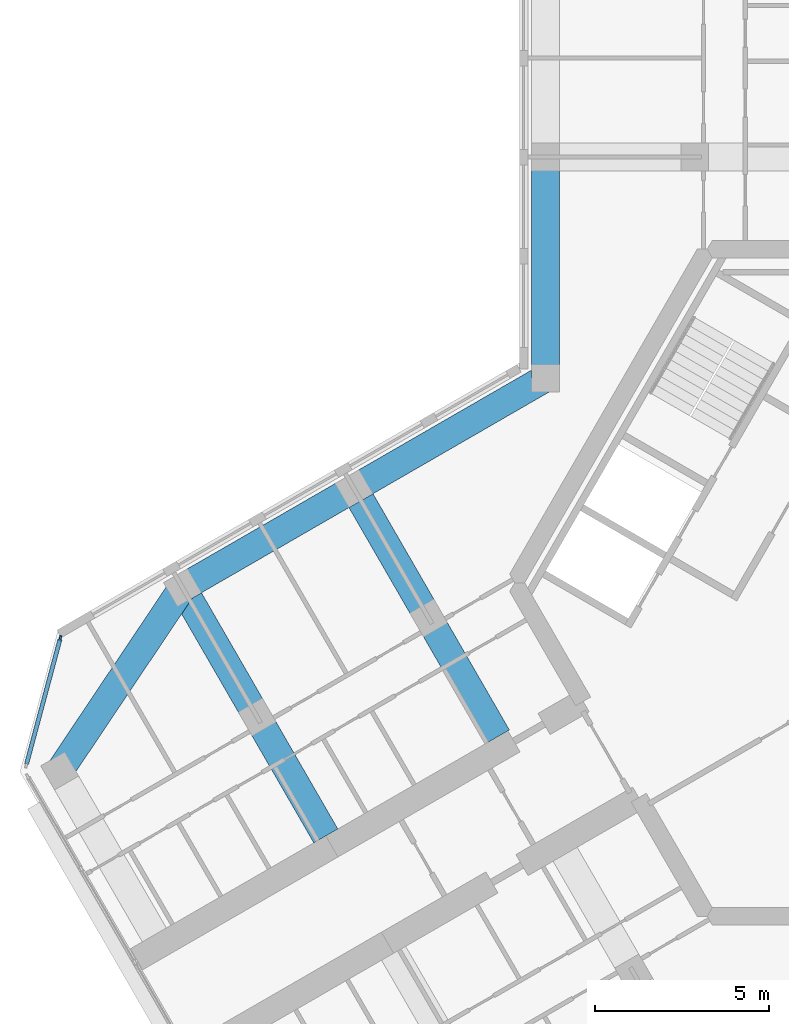
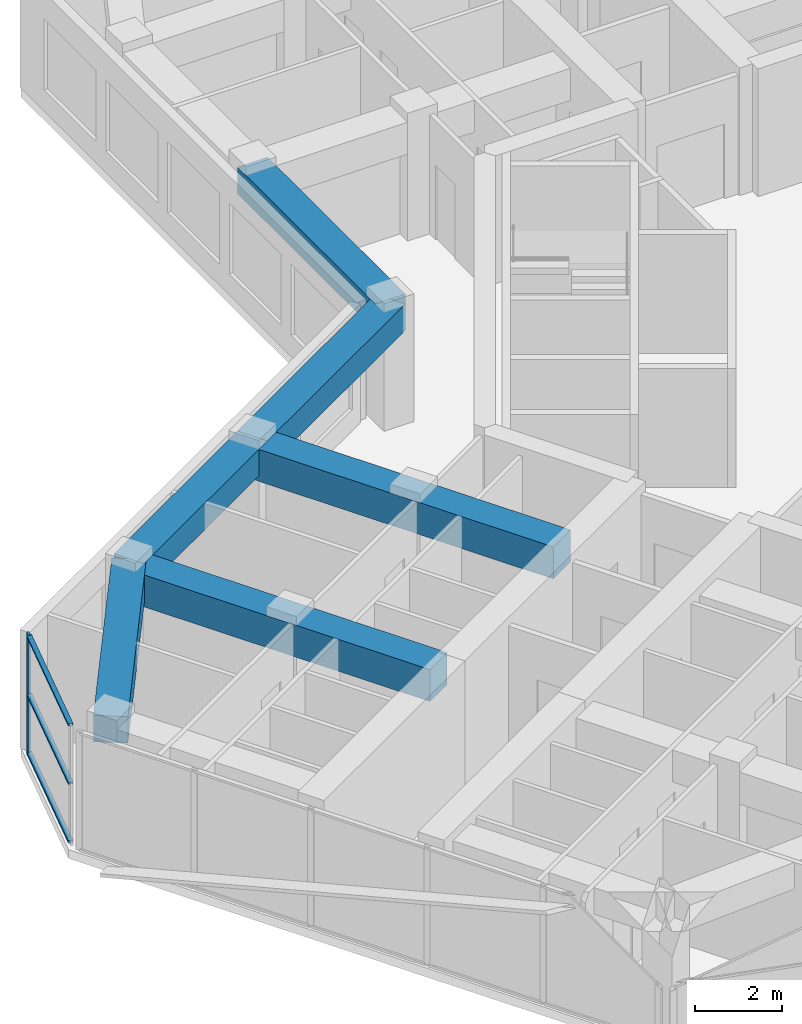
# One storey, part 3 of 14: 6 beams, 4 members, 1 element without a shape of its own.
"""IFC4 building model written with IfcOpenShell, lengths in metres."""

from ifc_helpers import new_model, si_unit, direction, frame, origin, origin_2d, place, context, subcontext, project, spatial, rectangle, extrude, material, material_profile, profile_set, type_object, element, aggregate, save


model = new_model("IFC4")

# Units and contexts
model_context = context("Model", 3, precision=1e-05, world=origin(), true_north=direction((0.0, 1.0)))
body_context = subcontext(model_context, "Body", "Model", "MODEL_VIEW")
ifc_project = project(units=[si_unit("LENGTHUNIT", "METRE"), si_unit("AREAUNIT", "SQUARE_METRE"), si_unit("VOLUMEUNIT", "CUBIC_METRE"), si_unit("PLANEANGLEUNIT", "RADIAN"), si_unit("MASSUNIT", "GRAM", prefix="KILO")], contexts=[model_context])

# Site, building, storey
site_placement = place(None, origin())
site = spatial("IfcSite", under=ifc_project, at=site_placement, CompositionType="ELEMENT")
building_placement = place(site_placement, origin())
building = spatial("IfcBuilding", under=site, at=building_placement, Name="Kosmar Iwan School Tower", CompositionType="ELEMENT")
storey_placement = place(building_placement, frame((0.0, 0.0, 292.60009765625)))
storey = spatial("IfcBuildingStorey", under=building, at=storey_placement, Name="L74", CompositionType="ELEMENT", Elevation=292.60009765625)

# Curtain wall, member
ifc_material_1 = material(Name="Dark glass in black aluminium frame", Category="aluminium")
curtain_wall_type = type_object("IfcCurtainWallType", Name="Chamfer curtain wall dark glass", PredefinedType="USERDEFINED", material=ifc_material_1)
curtain_wall_placement = place(storey_placement, origin())
curtain_wall = element("IfcCurtainWall", 1, at=curtain_wall_placement, inside=storey, type_object=curtain_wall_type, Name="Curtain wall L74-F12", ObjectType="FACETED CURTAIN WALL", PredefinedType="USERDEFINED")
ifc_material_2 = material(Name="Black anodised aluminium", Category="aluminium")
ifc_material_profile_1 = material_profile(ifc_material_2, rectangle(XDim=0.06005859375, YDim=0.159912109375, at=origin_2d()), Name="MULLION 60x160")
ifc_profile_set_1 = profile_set([ifc_material_profile_1], Name="Black anodised aluminium")
member_type_1 = type_object("IfcMemberType", Name="Mullion 60x160", PredefinedType="MULLION", material=ifc_profile_set_1)
member_1_placement = place(storey_placement, frame((-24.163818359375, -1.59814453125, 0.0), z_axis=(0.0, 0.0, 1.0), x_axis=(0.965925875495, -0.258818861462, 0.0)))
member_1 = element("IfcMember", 2, at=member_1_placement, type_object=member_type_1, Name="CW2 mullion 1", PredefinedType="MULLION", context=body_context, shape_type="SweptSolid", body=[
    extrude(rectangle(XDim=0.06005859375, YDim=0.159912109375, at=origin_2d()), origin(), (0.0, 0.0, 1.0), 3.349853515625),
])

# Beams
ifc_material_3 = material(Name="Concrete C50/60", Category="concrete")
ifc_material_profile_2 = material_profile(ifc_material_3, rectangle(XDim=0.800048828125, YDim=0.75, at=origin_2d()), Name="RC 800x750")
ifc_profile_set_2 = profile_set([ifc_material_profile_2], Name="Concrete C50/60")
beam_type_1 = type_object("IfcBeamType", Name="RC edge beam 800x750", PredefinedType="BEAM", material=ifc_profile_set_2)
beam_1_placement = place(storey_placement, frame((-10.199951171875, 5.888916015625, 2.974853515625), z_axis=(0.0, 1.0, 0.0), x_axis=(-1.0, 0.0, 0.0)))
element("IfcBeam", 3, at=beam_1_placement, inside=storey, type_object=beam_type_1, Name="Edge beam AL1", PredefinedType="BEAM", context=body_context, shape_type="SweptSolid", body=[
    extrude(rectangle(XDim=0.800048828125, YDim=0.75, at=origin_2d()), origin(), (0.0, 0.0, 1.0), 6.361083984375),
])
beam_2_placement = place(storey_placement, frame((-10.199951171875, 5.888916015625, 2.974853515625), z_axis=(-0.866030912664, -0.49999045822, 0.0), x_axis=(0.49999045822, -0.866030912664, 0.0)))
element("IfcBeam", 4, at=beam_2_placement, inside=storey, type_object=beam_type_1, Name="Edge beam BR1", PredefinedType="BEAM", context=body_context, shape_type="SweptSolid", body=[
    extrude(rectangle(XDim=0.800048828125, YDim=0.75, at=origin_2d()), origin(), (0.0, 0.0, 1.0), 6.36083984375),
])
beam_3_placement = place(storey_placement, frame((-15.708740234375, 2.70849609375, 2.974853515625), z_axis=(-0.866025820012, -0.499999279071, 0.0), x_axis=(0.499999279071, -0.866025820012, 0.0)))
element("IfcBeam", 5, at=beam_3_placement, inside=storey, type_object=beam_type_1, Name="Edge beam BR2", PredefinedType="BEAM", context=body_context, shape_type="SweptSolid", body=[
    extrude(rectangle(XDim=0.800048828125, YDim=0.75, at=origin_2d()), origin(), (0.0, 0.0, 1.0), 5.7001953125),
])
ifc_material_4 = material(Name="Concrete C50/60", Category="concrete")
ifc_material_profile_3 = material_profile(ifc_material_4, rectangle(XDim=0.800048828125, YDim=0.75, at=origin_2d()), Name="RC 800x750")
ifc_profile_set_3 = profile_set([ifc_material_profile_3], Name="Concrete C50/60")
beam_type_2 = type_object("IfcBeamType", Name="RC tip beam 800x750", PredefinedType="BEAM", material=ifc_profile_set_3)
beam_4_placement = place(storey_placement, frame((-20.645263671875, -0.1416015625, 2.974853515625), z_axis=(-0.556827604145, -0.83062808721, 0.0), x_axis=(0.83062808721, -0.556827604145, 0.0)))
element("IfcBeam", 6, at=beam_4_placement, inside=storey, type_object=beam_type_2, Name="Tip beam BR", PredefinedType="BEAM", context=body_context, shape_type="SweptSolid", body=[
    extrude(rectangle(XDim=0.800048828125, YDim=0.75, at=origin_2d()), origin(), (0.0, 0.0, 1.0), 6.3505859375),
])
ifc_material_5 = material(Name="Concrete C50/60", Category="concrete")
ifc_material_profile_4 = material_profile(ifc_material_5, rectangle(XDim=0.800048828125, YDim=0.89990234375, at=origin_2d()), Name="RC 800x900")
ifc_profile_set_4 = profile_set([ifc_material_profile_4], Name="Concrete C50/60")
beam_type_3 = type_object("IfcBeamType", Name="RC transverse beam 800x900", PredefinedType="BEAM", material=ifc_profile_set_4)
beam_5_placement = place(storey_placement, frame((-15.708740234375, 2.70849609375, 2.89990234375), z_axis=(0.499996545922, -0.866027397988, 0.0), x_axis=(0.866027397988, 0.499996545922, 0.0)))
element("IfcBeam", 7, at=beam_5_placement, inside=storey, type_object=beam_type_3, Name="Transverse beam BR1", PredefinedType="BEAM", context=body_context, shape_type="SweptSolid", body=[
    extrude(rectangle(XDim=0.800048828125, YDim=0.89990234375, at=origin_2d()), origin(), (0.0, 0.0, 1.0), 8.25),
])
beam_6_placement = place(storey_placement, frame((-20.645263671875, -0.1416015625, 2.89990234375), z_axis=(0.500009360108, -0.866019999656, 0.0), x_axis=(0.866019999656, 0.500009360108, 0.0)))
element("IfcBeam", 8, at=beam_6_placement, inside=storey, type_object=beam_type_3, Name="Transverse beam BR2", PredefinedType="BEAM", context=body_context, shape_type="SweptSolid", body=[
    extrude(rectangle(XDim=0.800048828125, YDim=0.89990234375, at=origin_2d()), origin(), (0.0, 0.0, 1.0), 8.249755859375),
])

# Member
ifc_material_6 = material(Name="Black anodised aluminium", Category="aluminium")
ifc_material_profile_5 = material_profile(ifc_material_6, rectangle(XDim=0.1201171875, YDim=0.06005859375, at=origin_2d()), Name="TRANSOM 60x120")
ifc_profile_set_5 = profile_set([ifc_material_profile_5], Name="Black anodised aluminium")
member_type_2 = type_object("IfcMemberType", Name="Transom 60x120", PredefinedType="USERDEFINED", material=ifc_profile_set_5)
member_2_placement = place(storey_placement, frame((-24.17138671875, -1.627197265625, 0.02978515625), z_axis=(-0.258843273983, -0.965919333854, 0.0), x_axis=(0.965919333854, -0.258843273983, 0.0)))
member_2 = element("IfcMember", 9, at=member_2_placement, type_object=member_type_2, Name="CW2 transom 1.1", ObjectType="TRANSOM", PredefinedType="USERDEFINED", context=body_context, shape_type="SweptSolid", body=[
    extrude(rectangle(XDim=0.1201171875, YDim=0.06005859375, at=origin_2d()), origin(), (0.0, 0.0, 1.0), 3.718994140625),
])

member_3_placement = place(storey_placement, frame((-24.17138671875, -1.627197265625, 1.6748046875), z_axis=(-0.258843273983, -0.965919333854, 0.0), x_axis=(0.965919333854, -0.258843273983, 0.0)))
member_3 = element("IfcMember", 10, at=member_3_placement, type_object=member_type_2, Name="CW2 transom 1.2", ObjectType="TRANSOM", PredefinedType="USERDEFINED", context=body_context, shape_type="SweptSolid", body=[
    extrude(rectangle(XDim=0.1201171875, YDim=0.06005859375, at=origin_2d()), origin(), (0.0, 0.0, 1.0), 3.718994140625),
])

member_4_placement = place(storey_placement, frame((-24.17138671875, -1.627197265625, 3.31982421875), z_axis=(-0.258843273983, -0.965919333854, 0.0), x_axis=(0.965919333854, -0.258843273983, 0.0)))
member_4 = element("IfcMember", 11, at=member_4_placement, type_object=member_type_2, Name="CW2 transom 1.3", ObjectType="TRANSOM", PredefinedType="USERDEFINED", context=body_context, shape_type="SweptSolid", body=[
    extrude(rectangle(XDim=0.1201171875, YDim=0.06005859375, at=origin_2d()), origin(), (0.0, 0.0, 1.0), 3.718994140625),
])

aggregate(curtain_wall, [member_1, member_2, member_3, member_4])

save(model, "model.ifc")
